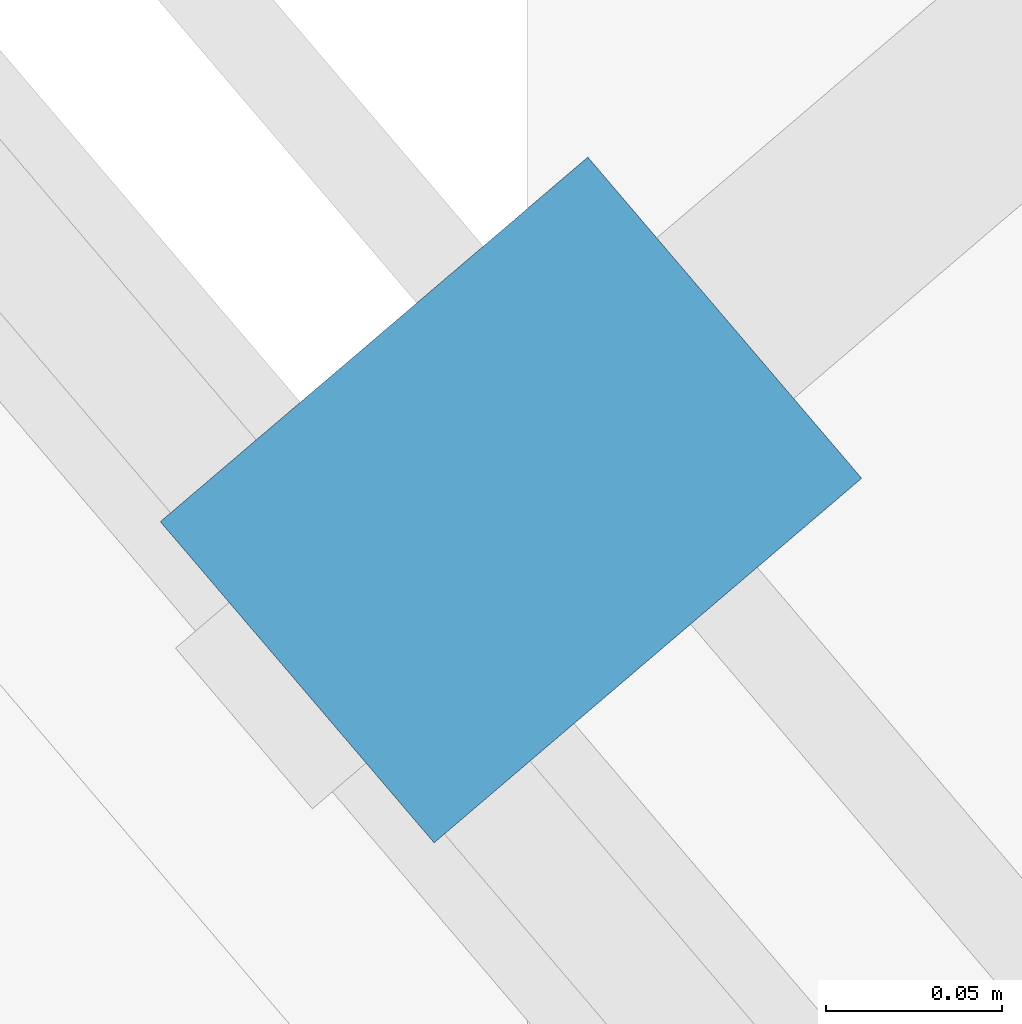
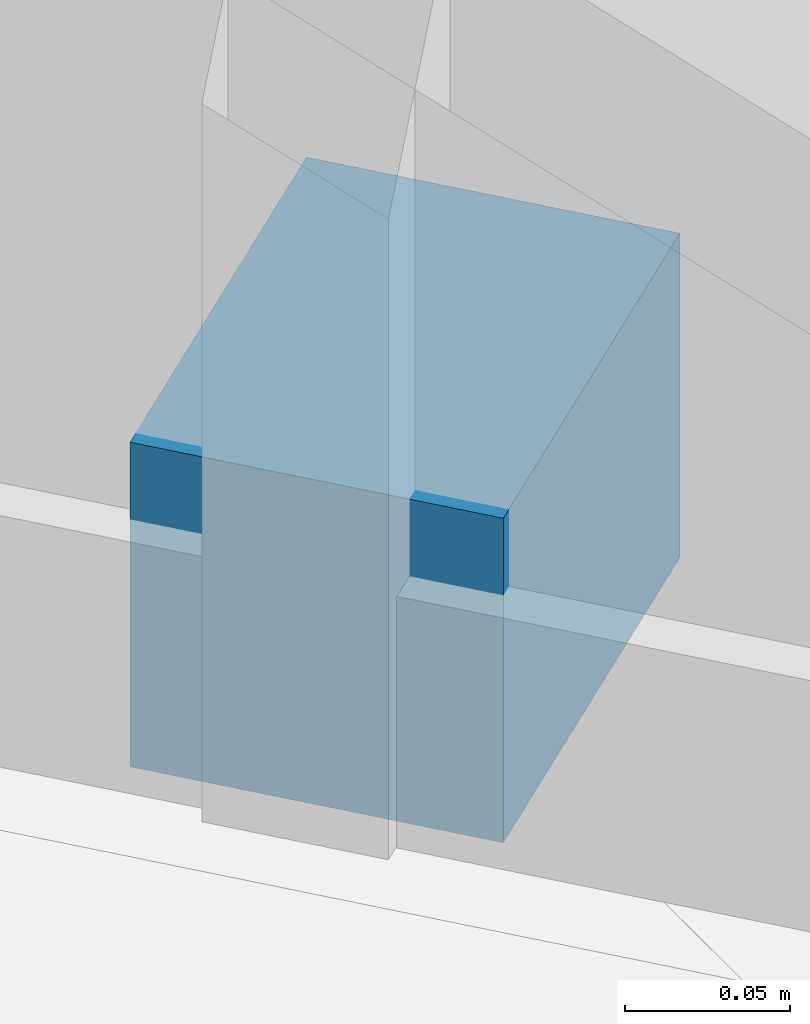
# One storey, part 69 of 103: 1 discrete accessory.
"""IFC4 building model written with IfcOpenShell, lengths in metres."""

from ifc_helpers import new_model, si_unit, direction, frame, origin, origin_2d, place, context, subcontext, project, spatial, rectangle, extrude, material, type_object, element, save


model = new_model("IFC4")

# Units and contexts
model_context = context("Model", 3, precision=1e-05, world=origin(), true_north=direction((0.0, 1.0)))
body_context = subcontext(model_context, "Body", "Model", "MODEL_VIEW")
ifc_project = project(units=[si_unit("LENGTHUNIT", "METRE"), si_unit("AREAUNIT", "SQUARE_METRE"), si_unit("VOLUMEUNIT", "CUBIC_METRE"), si_unit("PLANEANGLEUNIT", "RADIAN"), si_unit("MASSUNIT", "GRAM", prefix="KILO")], contexts=[model_context])

# Site, building, storey
site_placement = place(None, origin())
site = spatial("IfcSite", under=ifc_project, at=site_placement, CompositionType="ELEMENT")
building_placement = place(site_placement, origin())
building = spatial("IfcBuilding", under=site, at=building_placement, Name="Namkhue Oval Health Centre", CompositionType="ELEMENT")
storey_placement = place(building_placement, origin())
storey = spatial("IfcBuildingStorey", under=building, at=storey_placement, Name="L00", CompositionType="ELEMENT", Elevation=0.0)

# Discrete accessory
ifc_material = material(Name="Structural steel S355JR (TCVN CCT38)", Category="steel")
discrete_accessory_type = type_object("IfcDiscreteAccessoryType", Name="FACADE SHADING BRACKET", PredefinedType="BRACKET", material=ifc_material)
discrete_accessory_placement = place(storey_placement, frame((70.369140625, 47.760498046875, 0.0), z_axis=(0.0, 0.0, 1.0), x_axis=(0.760972426325, 0.648784221735, 0.0)))
element("IfcDiscreteAccessory", 1, at=discrete_accessory_placement, inside=storey, type_object=discrete_accessory_type, Name="Solar Fin Bracket 3", PredefinedType="BRACKET", context=body_context, shape_type="SweptSolid", body=[
    extrude(rectangle(XDim=0.159912109375, YDim=0.1201171875, at=origin_2d()), origin(), (0.0, 0.0, 1.0), 0.1201171875),
])

save(model, "model.ifc")
